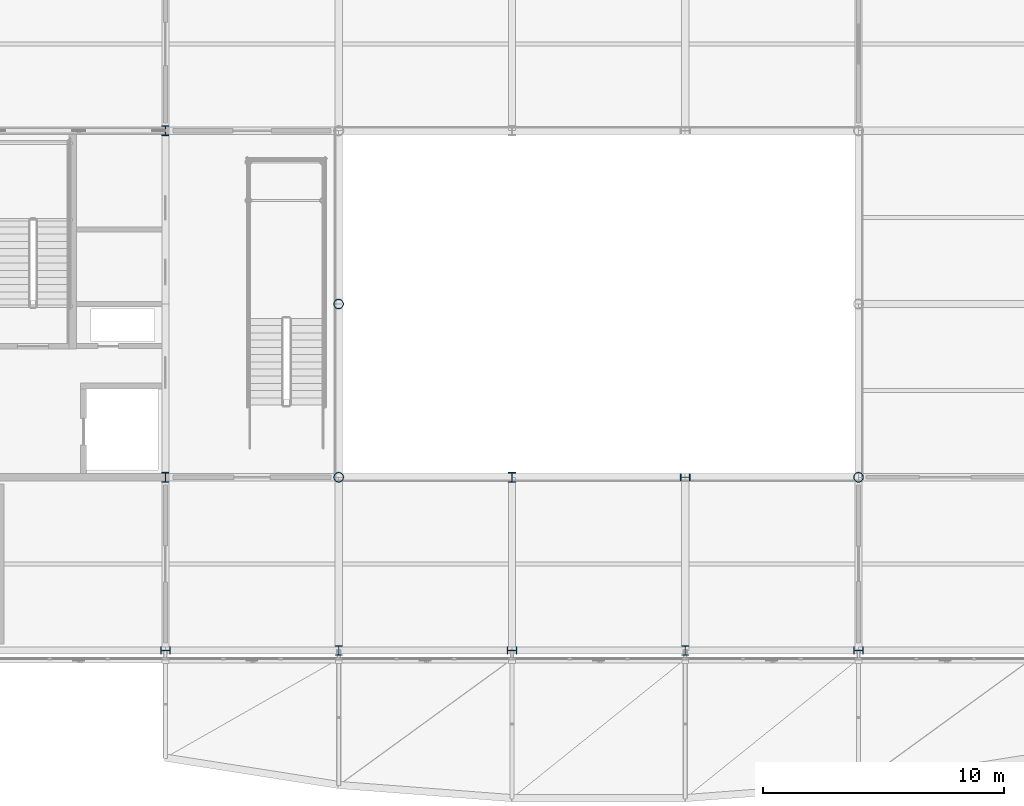
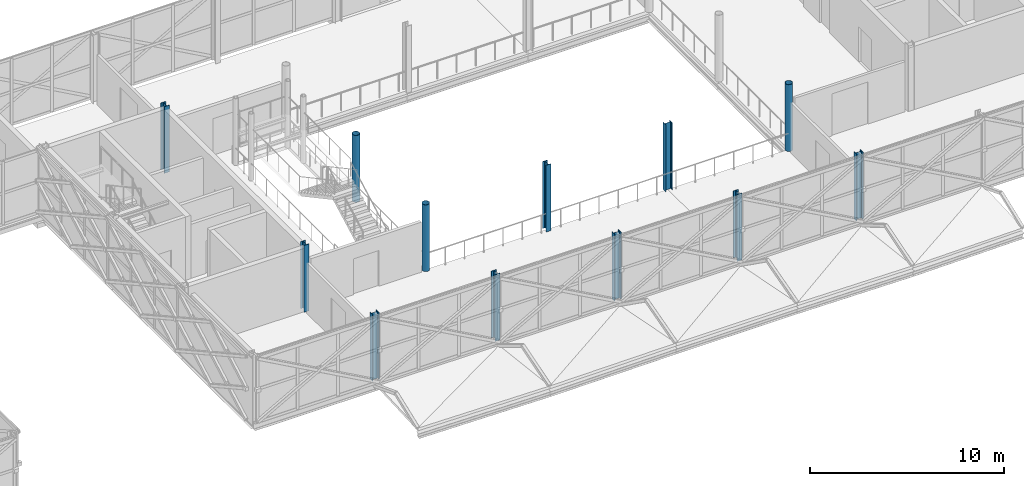
# One storey, part 6 of 146: 12 columns.
"""IFC4 building model written with IfcOpenShell, lengths in metres."""

import ifcopenshell
import ifcopenshell.guid

model = None  # the IFC model being written
_history = None  # IfcOwnerHistory: only IFC2X3 demands one
_inside = {}  # id of a spatial element -> (the spatial element, [elements in it])
_under = {}  # id of a project, library or spatial element -> (it, [spatial elements below it])
_declared = {}  # id of a project -> (the project, [libraries it declares])
_typed = {}  # id of a type object -> (the type object, [elements of that type])
_made_of = {}  # id of a material, layer set ... -> (it, [elements and type objects made of it])


def new_model(schema):
    """Start an empty IFC model of exactly this schema.

    Asked for "IFC4X3", IfcOpenShell would pick the latest addendum, in which some entities
    have other attributes; the version numbers below select the first issue.
    IFC2X3 requires an IfcOwnerHistory on every rooted entity: one is made here for all.
    """
    global model, _history
    if schema == "IFC4X3":
        model = ifcopenshell.file(schema_version=(4, 3, 0, 0))
    else:
        model = ifcopenshell.file(schema=schema)
    _inside.clear()
    _under.clear()
    _declared.clear()
    _typed.clear()
    _made_of.clear()
    _history = None
    if model.schema == "IFC2X3":
        org = make("IfcOrganization", Name="unknown")
        user = make(
            "IfcPersonAndOrganization",
            ThePerson=make("IfcPerson", FamilyName="unknown"),
            TheOrganization=org,
        )
        app = make(
            "IfcApplication",
            ApplicationDeveloper=org,
            Version="unknown",
            ApplicationFullName="unknown",
            ApplicationIdentifier="unknown",
        )
        _history = make(
            "IfcOwnerHistory",
            OwningUser=user,
            OwningApplication=app,
            ChangeAction="ADDED",
            CreationDate=0,
        )
    return model


def make(cls, **values):
    """One entity of the class cls with the attributes given. An attribute that is None is left unset."""
    return model.create_entity(
        cls, **{name: value for name, value in values.items() if value is not None}
    )


def rooted(cls, **values):
    """An entity with a GlobalId (a new one), such as an element, a storey or a relation."""
    return make(cls, GlobalId=ifcopenshell.guid.new(), OwnerHistory=_history, **values)


def si_unit(unit_type, name, prefix=None):
    """IfcSIUnit, for example si_unit("LENGTHUNIT", "METRE", prefix="MILLI")."""
    return make("IfcSIUnit", UnitType=unit_type, Prefix=prefix, Name=name)


def assignment(units):
    """IfcUnitAssignment: the units of a project."""
    return None if units is None else make("IfcUnitAssignment", Units=units)


def point(xyz):
    """IfcCartesianPoint."""
    return None if xyz is None else make("IfcCartesianPoint", Coordinates=xyz)


def direction(xyz):
    """IfcDirection."""
    return None if xyz is None else make("IfcDirection", DirectionRatios=xyz)


def frame(location, z_axis=None, x_axis=None):
    """IfcAxis2Placement3D, a coordinate frame: its origin and axes. An axis left out is left unset."""
    return make(
        "IfcAxis2Placement3D",
        Location=point(location),
        Axis=direction(z_axis),
        RefDirection=direction(x_axis),
    )


def frame_2d(location, x_axis=None):
    """IfcAxis2Placement2D, a coordinate frame in the plane: its origin and x axis."""
    return make(
        "IfcAxis2Placement2D", Location=point(location), RefDirection=direction(x_axis)
    )


def origin():
    """The frame at (0, 0, 0) with its axes left unset."""
    return frame((0.0, 0.0, 0.0))


def origin_2d():
    """The frame at (0, 0) in the plane with its x axis left unset."""
    return frame_2d((0.0, 0.0))


def place(relative_to, where):
    """IfcLocalPlacement: puts the frame where relative to a parent placement (None: the world)."""
    return make(
        "IfcLocalPlacement", PlacementRelTo=relative_to, RelativePlacement=where
    )


def context(
    kind, dimensions, precision=None, world=None, true_north=None, identifier=None
):
    """IfcGeometricRepresentationContext, for example the 3D "Model" context."""
    return make(
        "IfcGeometricRepresentationContext",
        ContextIdentifier=identifier,
        ContextType=kind,
        CoordinateSpaceDimension=dimensions,
        Precision=precision,
        WorldCoordinateSystem=world,
        TrueNorth=true_north,
    )


def subcontext(parent, identifier, kind, view, scale=None):
    """IfcGeometricRepresentationSubContext, for example "Body" below "Model"."""
    return make(
        "IfcGeometricRepresentationSubContext",
        ContextIdentifier=identifier,
        ContextType=kind,
        ParentContext=parent,
        TargetScale=scale,
        TargetView=view,
    )


def project(units=None, contexts=None):
    """IfcProject with its units and contexts."""
    return rooted(
        "IfcProject",
        Name="project",
        RepresentationContexts=contexts,
        UnitsInContext=assignment(units),
    )


def spatial(cls, under=None, at=None, **own):
    """A site, building, storey or space (cls), placed at a placement, below another one or the project."""
    s = rooted(cls, ObjectPlacement=at, **own)
    if under is not None:
        _under.setdefault(under.id(), (under, []))[1].append(s)
    return s


def profile(cls, at=None, kind="AREA", **sizes):
    """A parametric profile (cls). Its sizes go by their IFC names, for example OverallWidth=200.0."""
    return make(cls, ProfileType=kind, Position=at, **sizes)


def hollow_circle(**sizes):
    """IfcCircleHollowProfileDef."""
    return profile("IfcCircleHollowProfileDef", **sizes)


def i_section(**sizes):
    """IfcIShapeProfileDef."""
    return profile("IfcIShapeProfileDef", **sizes)


def extrude(swept, where, along, depth):
    """IfcExtrudedAreaSolid: the profile swept, set in the frame where, extruded along a direction by depth."""
    return make(
        "IfcExtrudedAreaSolid",
        SweptArea=swept,
        Position=where,
        ExtrudedDirection=direction(along),
        Depth=depth,
    )


def shape(context_of_items, identifier, shape_type, items):
    """IfcShapeRepresentation: the items that make up one representation, for example the "Body"."""
    return make(
        "IfcShapeRepresentation",
        ContextOfItems=context_of_items,
        RepresentationIdentifier=identifier,
        RepresentationType=shape_type,
        Items=items,
    )


def material(Name=None, Category=None):
    """IfcMaterial."""
    return make("IfcMaterial", Name=Name, Category=Category)


def material_profile(
    of_material, cross_section, Name=None, Category=None, Priority=None
):
    """IfcMaterialProfile: a cross section and its material."""
    return make(
        "IfcMaterialProfile",
        Name=Name,
        Material=of_material,
        Profile=cross_section,
        Priority=Priority,
        Category=Category,
    )


def profile_set(profiles, Name=None, composite=None):
    """IfcMaterialProfileSet."""
    return make(
        "IfcMaterialProfileSet",
        Name=Name,
        MaterialProfiles=profiles,
        CompositeProfile=composite,
    )


def made_of(thing, what):
    """Note that an element or type object is made of a material, layer set ...; save() writes the relation."""
    if what is not None:
        _made_of.setdefault(what.id(), (what, []))[1].append(thing)
    return thing


def type_object(cls, material=None, **own):
    """A type object (cls), such as IfcWallType, which elements share."""
    return made_of(rooted(cls, **own), material)


def element(
    cls,
    number,
    at=None,
    inside=None,
    cuts=None,
    type_object=None,
    material=None,
    context=None,
    identifier="Body",
    shape_type=None,
    held_by="IfcProductDefinitionShape",
    body=None,
    shapes=None,
    **own,
):
    """One element of the class cls, such as IfcWall. Its Tag is "e" and its number.

    at: its placement. inside: the storey or other place that contains it. cuts: it is an
    opening in that element (IfcRelVoidsElement). A single representation is given by context,
    identifier, shape_type and body (its items); several are given by shapes. held_by: the class
    of the entity that holds the representations. save() writes the other relations.
    """
    e = rooted(cls, Tag="e%d" % number, ObjectPlacement=at, **own)
    if body is not None:
        shapes = [shape(context, identifier, shape_type, body)]
    if shapes is not None:
        e.Representation = make(held_by, Representations=shapes)
    if inside is not None:
        _inside.setdefault(inside.id(), (inside, []))[1].append(e)
    if cuts is not None:
        rooted(
            "IfcRelVoidsElement", RelatingBuildingElement=cuts, RelatedOpeningElement=e
        )
    if type_object is not None:
        _typed.setdefault(type_object.id(), (type_object, []))[1].append(e)
    return made_of(e, material)


def aggregate(whole, parts):
    """IfcRelAggregates: a whole, such as a stair, and the parts it consists of."""
    return rooted("IfcRelAggregates", RelatingObject=whole, RelatedObjects=parts)


def save(model, path):
    """Write the relations noted so far, then the file.

    IfcRelAggregates (storeys below a building ...), IfcRelContainedInSpatialStructure (elements
    in a storey), IfcRelDefinesByType, IfcRelAssociatesMaterial and IfcRelDeclares: one each for
    every whole, place, type object, material and project.
    """
    for whole, parts in _under.values():
        aggregate(whole, parts)
    for where, things in _inside.values():
        rooted(
            "IfcRelContainedInSpatialStructure",
            RelatedElements=things,
            RelatingStructure=where,
        )
    for kind, things in _typed.values():
        rooted("IfcRelDefinesByType", RelatedObjects=things, RelatingType=kind)
    for what, things in _made_of.values():
        rooted("IfcRelAssociatesMaterial", RelatedObjects=things, RelatingMaterial=what)
    for by, libraries in _declared.values():
        rooted("IfcRelDeclares", RelatingContext=by, RelatedDefinitions=libraries)
    model.write(path)


model = new_model("IFC4")

# Units and contexts
model_context = context("Model", 3, precision=1e-05, world=origin(), true_north=direction((0.0, 1.0)))
body_context = subcontext(model_context, "Body", "Model", "MODEL_VIEW")
ifc_project = project(units=[si_unit("LENGTHUNIT", "METRE"), si_unit("AREAUNIT", "SQUARE_METRE"), si_unit("VOLUMEUNIT", "CUBIC_METRE"), si_unit("PLANEANGLEUNIT", "RADIAN"), si_unit("MASSUNIT", "GRAM", prefix="KILO")], contexts=[model_context])

# Site, building, storey
site_placement = place(None, origin())
site = spatial("IfcSite", under=ifc_project, at=site_placement, CompositionType="ELEMENT")
building_placement = place(site_placement, origin())
building = spatial("IfcBuilding", under=site, at=building_placement, Name="Zlatovets Crest Museum", CompositionType="ELEMENT")
storey_placement = place(building_placement, frame((0.0, 0.0, 4.5)))
storey = spatial("IfcBuildingStorey", under=building, at=storey_placement, Name="L01", CompositionType="ELEMENT", Elevation=4.5)

# Columns
ifc_material = material(Name="Structural steel S355J2", Category="steel")
ifc_material_profile_1 = material_profile(ifc_material, i_section(OverallWidth=0.300048828125, OverallDepth=0.39990234375, WebThickness=0.013427734375, FlangeThickness=0.02392578125, FilletRadius=0.027099609375, at=origin_2d()), Name="HEB 400")
ifc_profile_set_1 = profile_set([ifc_material_profile_1], Name="Structural steel S355J2")
column_type_1 = type_object("IfcColumnType", Name="Col_C-07", PredefinedType="COLUMN", material=ifc_profile_set_1)
for number, where, z_axis, x_axis, name in (
    (1, (64.800048828125, 0.0, 0.0), (0.0, 0.0, 1.0), (0.0, 1.0, 0.0), "V2 L01 Column (64.8, 0.0)"),
    (2, (64.800048828125, 7.199951171875, 0.0), (0.0, 0.0, 1.0), (1.0, 0.0, 0.0), "V2 L01 Column (64.8, 7.2)"),
    (3, (64.800048828125, 21.60009765625, 0.0), (0.0, 0.0, 1.0), (1.0, 0.0, 0.0), "V2 L01 Column (64.8, 21.6)"),
    (4, (72.0, 0.0, 0.0), (0.0, 0.0, 1.0), (1.0, 0.0, 0.0), "V2 L01 Column (72.0, 0.0)"),
    (5, (79.199951171875, 0.0, 0.0), (0.0, 0.0, 1.0), (0.0, 1.0, 0.0), "V2 L01 Column (79.2, 0.0)"),
    (6, (79.199951171875, 7.199951171875, 0.0), (0.0, 0.0, 1.0), (1.0, 0.0, 0.0), "V2 L01 Column (79.2, 7.2)"),
    (7, (86.39990234375, 0.0, 0.0), (0.0, 0.0, 1.0), (1.0, 0.0, 0.0), "V2 L01 Column (86.4, 0.0)"),
    (8, (86.39990234375, 7.199951171875, 0.0), (0.0, 0.0, 1.0), (0.0, 1.0, 0.0), "V2 L01 Column (86.4, 7.2)"),
    (9, (93.60009765625, 0.0, 0.0), (0.0, 0.0, 1.0), (0.0, 1.0, 0.0), "V2 L01 Column (93.6, 0.0)"),
):
    element("IfcColumn", number, at=place(storey_placement, frame(where, z_axis=z_axis, x_axis=x_axis)), inside=storey, type_object=column_type_1, Name=name, PredefinedType="COLUMN", context=body_context, shape_type="SweptSolid", body=[
        extrude(i_section(OverallWidth=0.300048828125, OverallDepth=0.39990234375, WebThickness=0.013427734375, FlangeThickness=0.02392578125, FilletRadius=0.027099609375, at=origin_2d()), origin(), (0.0, 0.0, 1.0), 4.199951171875),
    ])
ifc_material_profile_2 = material_profile(ifc_material, hollow_circle(Radius=0.203125, WallThickness=0.01611328125, at=origin_2d()), Name="CHS 406.4x16.0")
ifc_profile_set_2 = profile_set([ifc_material_profile_2], Name="Structural steel S355J2")
column_type_2 = type_object("IfcColumnType", Name="Col_C-12", PredefinedType="COLUMN", material=ifc_profile_set_2)
for number, where, z_axis, x_axis, name in (
    (10, (72.0, 7.199951171875, 0.0), (0.0, 0.0, 1.0), (0.0, 1.0, 0.0), "V2 L01 Column (72.0, 7.2)"),
    (11, (72.0, 14.39990234375, 0.0), (0.0, 0.0, 1.0), (1.0, 0.0, 0.0), "V2 L01 Column (72.0, 14.4)"),
    (12, (93.60009765625, 7.199951171875, 0.0), (0.0, 0.0, 1.0), (1.0, 0.0, 0.0), "V2 L01 Column (93.6, 7.2)"),
):
    element("IfcColumn", number, at=place(storey_placement, frame(where, z_axis=z_axis, x_axis=x_axis)), inside=storey, type_object=column_type_2, Name=name, PredefinedType="COLUMN", context=body_context, shape_type="SweptSolid", body=[
        extrude(hollow_circle(Radius=0.203125, WallThickness=0.01611328125, at=origin_2d()), origin(), (0.0, 0.0, 1.0), 4.199951171875),
    ])

save(model, "model.ifc")
